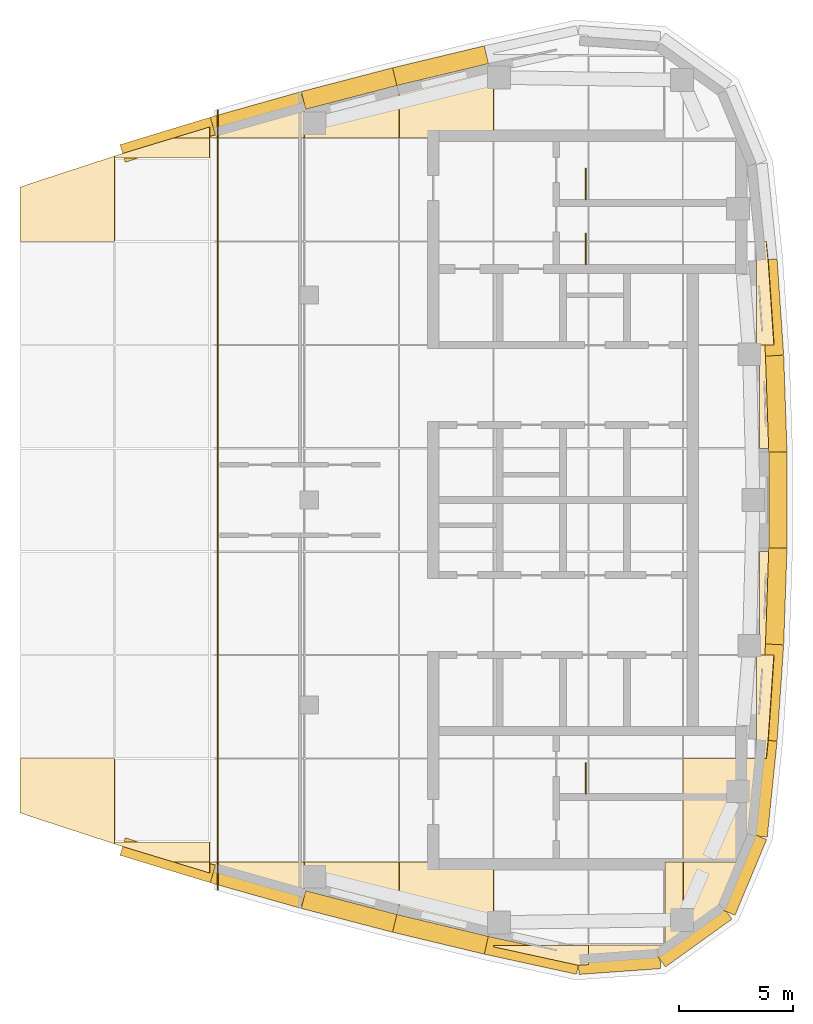
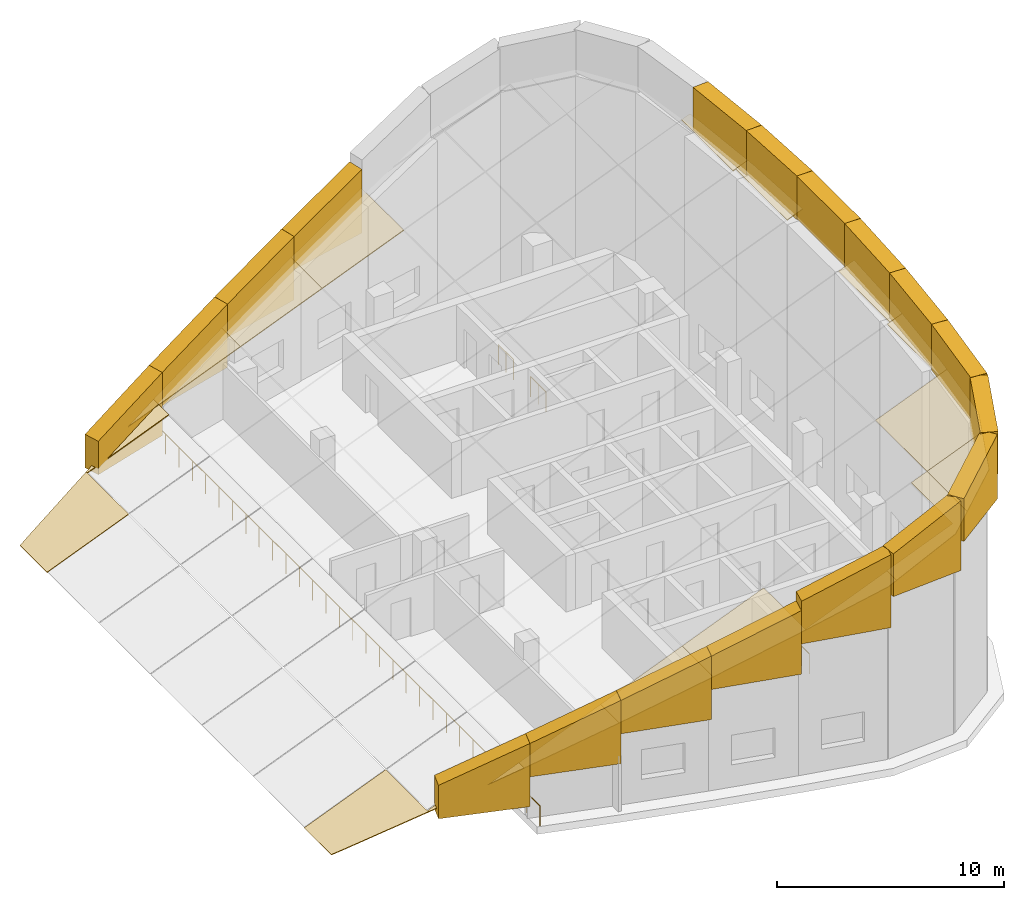
# One storey, part 5 of 6: 38 coverings, 4 railings.
"""IFC4 building model written with IfcOpenShell, lengths in metres."""

from ifc_helpers import new_model, si_unit, direction, frame, origin, origin_2d, place, context, subcontext, project, spatial, polyline, circle, outline, extrude, material, layer, layer_set, type_object, element, save


model = new_model("IFC4")

# Units and contexts
model_context = context("Model", 3, precision=1e-05, world=origin(), true_north=direction((0.0, 1.0)))
body_context = subcontext(model_context, "Body", "Model", "MODEL_VIEW")
ifc_project = project(units=[si_unit("LENGTHUNIT", "METRE"), si_unit("AREAUNIT", "SQUARE_METRE"), si_unit("VOLUMEUNIT", "CUBIC_METRE"), si_unit("PLANEANGLEUNIT", "RADIAN"), si_unit("MASSUNIT", "GRAM", prefix="KILO")], contexts=[model_context])

# Site, building, storey
site_placement = place(None, origin())
site = spatial("IfcSite", under=ifc_project, at=site_placement, CompositionType="ELEMENT")
building_placement = place(site_placement, origin())
building = spatial("IfcBuilding", under=site, at=building_placement, Name="Ostrand Prow Hotel Tower", CompositionType="ELEMENT")
storey_placement = place(building_placement, frame((0.0, 0.0, 337.39990234375)))
storey = spatial("IfcBuildingStorey", under=building, at=storey_placement, Name="C7", CompositionType="ELEMENT", Elevation=337.39990234375)

# Coverings
ifc_material_1 = material(Name="Bronze anodised aluminium cladding", Category="aluminium")
ifc_layer_1 = layer(ifc_material_1, 0.0400390625)
ifc_layer_set_1 = layer_set([ifc_layer_1], Name="Bronze anodised aluminium cladding")
covering_type_1 = type_object("IfcCoveringType", Name="Crown bronze edge capping 40 mm", PredefinedType="CLADDING", material=ifc_layer_set_1)
covering_1_placement = place(storey_placement, frame((32.87451171875, -13.935791015625, -0.318603515625), z_axis=(-0.374576138505, 7.299102e-06, 0.927196158539), x_axis=(0.887505049093, -0.28944984739, 0.358543684478)))
element("IfcCovering", 1, at=covering_1_placement, inside=storey, type_object=covering_type_1, Name="Crown edge capping 7.2", PredefinedType="CLADDING", context=body_context, shape_type="SweptSolid", body=[
    extrude(outline(polyline([(0.0, 0.0), (4.039350731534762, -2.7755575615628914e-16), (2.953489805021606, 3.5908765672763536), (-1.3412613572104248, 2.292167912573649), (-0.6519099750591921, 0.012524484630083883), (0.0, 0.0)])), origin(), (0.0, 0.0, -1.0), 0.0400390625),
])
covering_2_placement = place(storey_placement, frame((32.87451171875, 13.935791015625, -0.318603515625), z_axis=(-0.374576138505, -7.299102e-06, 0.927196158539), x_axis=(-0.882186155434, -0.307782632278, -0.35639505949)))
element("IfcCovering", 2, at=covering_2_placement, inside=storey, type_object=covering_type_1, Name="Crown edge capping 7.8", PredefinedType="CLADDING", context=body_context, shape_type="SweptSolid", body=[
    extrude(outline(polyline([(0.0, 0.0), (0.652030274064729, -1.0408340855860843e-17), (1.3850428663192007, 2.2659814708502113), (-2.8839697504094044, 3.6469459865076823), (-4.038605474918088, 0.07758962760616059), (0.0, 0.0)])), origin(), (0.0, 0.0, -1.0), 0.0400390625),
])
covering_3_placement = place(storey_placement, frame((39.03076171875, -15.894775390625, 2.16845703125), z_axis=(-0.374630263486, 0.0, 0.927174290886), x_axis=(0.892394187542, -0.27132402783, 0.360577156742)))
element("IfcCovering", 3, at=covering_3_placement, inside=storey, type_object=covering_type_1, Name="Crown edge capping 8.1", PredefinedType="CLADDING", context=body_context, shape_type="SweptSolid", body=[
    extrude(outline(polyline([(0.0, 0.0), (1.7807280126989846, 4.163336342344337e-17), (1.6496366428075424, 0.4650302434560152), (0.0, 0.0)])), origin(), (0.0, 0.0, -1.0), 0.0400390625),
])
covering_4_placement = place(storey_placement, frame((40.619873046875, -15.894775390625, 2.810546875), z_axis=(-0.374603922124, -5.416067e-06, 0.927184933819), x_axis=(-2.02888e-06, 0.999999999985, 5.021696e-06)))
element("IfcCovering", 4, at=covering_4_placement, inside=storey, type_object=covering_type_1, Name="Crown edge capping 8.2", PredefinedType="CLADDING", context=body_context, shape_type="SweptSolid", body=[
    extrude(outline(polyline([(0.0, 0.0), (0.8784179687371164, 0.0), (0.8784179686804798, 4.487135366526869), (0.7897949218067797, 4.487135366526869), (0.6757812502366288, 4.11057395969808), (-2.637249845973841e-10, 1.7139294554476523), (0.0, 0.0)])), origin(), (0.0, 0.0, -1.0), 0.0400390625),
])
covering_5_placement = place(storey_placement, frame((36.45947265625, 15.10498046875, 1.129638671875), z_axis=(-0.374603922124, 5.416067e-06, 0.927184933819), x_axis=(-2.02888e-06, -0.999999999985, 5.021696e-06)))
element("IfcCovering", 5, at=covering_5_placement, inside=storey, type_object=covering_type_1, Name="Crown edge capping 8.8", PredefinedType="CLADDING", context=body_context, shape_type="SweptSolid", body=[
    extrude(outline(polyline([(0.0, 0.0), (0.08862304687370018, 0.0), (0.08862304693033674, 4.487135366526869), (-0.7897949218067797, 4.487135366526869), (-0.7897949220705047, 2.773205911079217), (-0.11401367157015084, 0.3765614068287898), (0.0, 0.0)])), origin(), (0.0, 0.0, -1.0), 0.0400390625),
])
covering_6_placement = place(storey_placement, frame((40.619873046875, 16.3779296875, 2.810546875), z_axis=(-0.374630263486, 0.0, 0.927174290886), x_axis=(-0.892394187542, -0.27132402783, -0.360577156742)))
element("IfcCovering", 6, at=covering_6_placement, inside=storey, type_object=covering_type_1, Name="Crown edge capping 8.9", PredefinedType="CLADDING", context=body_context, shape_type="SweptSolid", body=[
    extrude(outline(polyline([(0.0, 0.0), (1.7807280126989846, -4.163336342344337e-17), (0.13109136989144232, 0.4650302434560151), (0.0, 0.0)])), origin(), (0.0, 0.0, -1.0), 0.0400390625),
])
covering_7_placement = place(storey_placement, frame((44.750244140625, -17.547119140625, 4.479248046875), z_axis=(-0.37452705656, 0.000132759887, 0.92721597607), x_axis=(0.902788501251, -0.227973874174, 0.364692794971)))
element("IfcCovering", 7, at=covering_7_placement, inside=storey, type_object=covering_type_1, Name="Crown edge capping 9.1", PredefinedType="CLADDING", context=body_context, shape_type="SweptSolid", body=[
    extrude(outline(polyline([(0.0, 0.0), (0.03319827214521457, -4.336808689942018e-19), (-0.34521832221663784, 1.616202042876606), (-4.714106029832353, 0.5932732696072995), (-4.603959472950149, 0.12284175867145566), (-4.438558112873849, 0.11543193339788219), (0.0, 0.0)])), origin(), (0.0, 0.0, -1.0), 0.0400390625),
])
covering_8_placement = place(storey_placement, frame((40.767578125, 16.4228515625, 2.870361328125), z_axis=(-0.37452705656, -0.000132759887, 0.92721597607), x_axis=(-0.89242158513, -0.27132112197, -0.360511529867)))
element("IfcCovering", 8, at=covering_8_placement, inside=storey, type_object=covering_type_1, Name="Crown edge capping 9.9", PredefinedType="CLADDING", context=body_context, shape_type="SweptSolid", body=[
    extrude(outline(polyline([(0.0, 0.0), (0.16556725348230703, 6.938893903907228e-18), (0.2966572193950114, 0.4650306348095701), (-4.0220726643464, 1.6824604143931172), (-4.472441880233452, 0.08481347853143592), (-4.439276871757979, 0.08332771736304864), (0.0, 0.0)])), origin(), (0.0, 0.0, -1.0), 0.0400390625),
])
covering_9_placement = place(storey_placement, frame((48.754638671875, -18.5908203125, 6.096923828125), z_axis=(-0.374607603813, -6.810187e-06, 0.927183446314), x_axis=(0.9050216838, -0.21733461072, 0.365652046124)))
element("IfcCovering", 9, at=covering_9_placement, inside=storey, type_object=covering_type_1, Name="Crown edge capping 10.1", PredefinedType="CLADDING", context=body_context, shape_type="SweptSolid", body=[
    extrude(outline(polyline([(0.0, 0.0), (0.2055711882382059, -8.673617379884035e-19), (-0.39008270334812134, 2.6752116027656094), (-4.7699627939742255, 1.7000017846605737), (-4.409206441854553, 0.07976628784929835), (0.0, 0.0)])), origin(), (0.0, 0.0, -1.0), 0.0400390625),
])
covering_10_placement = place(storey_placement, frame((48.754638671875, 18.5908203125, 6.096923828125), z_axis=(-0.374607603813, 6.810187e-06, 0.927183446314), x_axis=(-0.901228794515, -0.234954592354, -0.364119485154)))
element("IfcCovering", 10, at=covering_10_placement, inside=storey, type_object=covering_type_1, Name="Crown edge capping 10.9", PredefinedType="CLADDING", context=body_context, shape_type="SweptSolid", body=[
    extrude(outline(polyline([(0.0, 0.0), (4.409927902763145, -2.7755575615628914e-17), (4.799931875764761, 1.6134451065235933), (0.438407817509029, 2.6677181673801473), (-0.205537556945469, 0.0037183489018622435), (0.0, 0.0)])), origin(), (0.0, 0.0, -1.0), 0.0400390625),
])
covering_11_placement = place(storey_placement, frame((52.779052734375, -19.553955078125, 7.722900390625), z_axis=(-0.37457492217, 1.6065069e-05, 0.927196649812), x_axis=(0.908727645776, -0.198592736631, 0.367117134931)))
element("IfcCovering", 11, at=covering_11_placement, inside=storey, type_object=covering_type_1, Name="Crown edge capping 11.1", PredefinedType="CLADDING", context=body_context, shape_type="SweptSolid", body=[
    extrude(outline(polyline([(0.0, 0.0), (0.3540537258461172, -1.734723475976807e-18), (-0.3865963339128423, 3.6552085387858284), (-4.784045904442005, 2.764159163165361), (-4.2397582917911745, 0.0780259439712191), (0.0, 0.0)])), origin(), (0.0, 0.0, -1.0), 0.0400390625),
])
covering_12_placement = place(storey_placement, frame((52.779052734375, 19.553955078125, 7.722900390625), z_axis=(-0.37457492217, -1.6065069e-05, 0.927196649812), x_axis=(-0.905185563667, -0.216592898802, -0.365686493484)))
element("IfcCovering", 12, at=covering_12_placement, inside=storey, type_object=covering_type_1, Name="Crown edge capping 11.9", PredefinedType="CLADDING", context=body_context, shape_type="SweptSolid", body=[
    extrude(outline(polyline([(0.0, 0.0), (4.240476202119831, -8.326672684688674e-17), (4.834097267050529, 2.675663414522456), (0.45378773920993015, 3.647476233664919), (-0.35399378474172966, 0.0065146872329717494), (0.0, 0.0)])), origin(), (0.0, 0.0, -1.0), 0.0400390625),
])
covering_13_placement = place(storey_placement, frame((57.26123046875, -20.40478515625, 9.53369140625), z_axis=(-0.37461169836, -3.4819584e-05, 0.927181791365), x_axis=(-1.3043824e-05, 0.999999999394, 3.2284085e-05)))
element("IfcCovering", 13, at=covering_13_placement, inside=storey, type_object=covering_type_1, Name="Crown edge capping 12.1", PredefinedType="CLADDING", context=body_context, shape_type="SweptSolid", body=[
    extrude(outline(polyline([(0.0, 0.0), (0.8469238276115932, 1.4347447724732265e-21), (0.8469238285578954, 4.4871353664567515), (0.7805175785981511, 4.4871353664567515), (-0.03125000112626835, 0.47371649134526317), (0.0, 0.0)])), origin(), (0.0, 0.0, -1.0), 0.0400390625),
])
covering_14_placement = place(storey_placement, frame((61.421630859375, -15.894775390625, 11.21435546875), z_axis=(-0.374514980721, -2.251059e-06, 0.927220863231), x_axis=(-0.927220863233, 1.49e-10, -0.374514980722)))
element("IfcCovering", 14, at=covering_14_placement, inside=storey, type_object=covering_type_1, Name="Crown edge capping 13.1", PredefinedType="CLADDING", context=body_context, shape_type="SweptSolid", body=[
    extrude(outline(polyline([(0.0, 0.0), (0.8651926601567812, 2.117582368135751e-22), (0.8651926596201851, 3.607910156240859), (0.8651926596197492, 3.6108398437408513), (0.8657368385029043, 3.6137695313388543), (0.8665073896671225, 3.6166992187310667), (0.8675957474339047, 3.6193847658020806), (0.8689104774817498, 3.6220703126673035), (0.870451579810694, 3.624511718701737), (0.8723104887421664, 3.6269531250399707), (0.8744872042762032, 3.629150391057006), (0.8767988577698737, 3.6311035157336606), (0.8794283178661086, 3.632812500089116), (0.8820577779623435, 3.634521484444572), (0.8850050446611791, 3.6357421878538294), (0.8880872493196486, 3.6367187499227063), (0.8910345160185932, 3.6372070314569656), (0.8942081549985642, 3.637939453410434), (0.8972903596571788, 3.6379394529793134), (4.487043910017069, 3.6379394542660073), (4.487043909887367, 4.510009766763798), (1.0908299796172645, 4.285156249945255), (-5.291889089840217e-10, 3.558105468740985), (0.0, 0.0)])), origin(), (0.0, 0.0, -1.0), 0.0400390625),
])
covering_15_placement = place(storey_placement, frame((63.3310546875, -18.080322265625, 11.98583984375), z_axis=(-0.374621208856, -3.368448e-06, 0.927177949405), x_axis=(0.38064815071, 0.911839838304, 0.153802128215)))
element("IfcCovering", 15, at=covering_15_placement, inside=storey, type_object=covering_type_1, Name="Crown edge capping 14.1", PredefinedType="CLADDING", context=body_context, shape_type="SweptSolid", body=[
    extrude(outline(polyline([(0.0, 0.0), (2.3968539026616296, -8.326672684688674e-17), (1.1473941212478926, 2.7751016863583065), (-2.09702819404432, 1.314335323575083), (0.0, 0.0)])), origin(), (0.0, 0.0, -1.0), 0.0400390625),
])
covering_16_placement = place(storey_placement, frame((64.717041015625, -14.7607421875, 12.545654296875), z_axis=(-0.374594471994, 1.170834e-06, 0.927188751846), x_axis=(0.102142577503, 0.993913504641, 0.041265471679)))
element("IfcCovering", 16, at=covering_16_placement, inside=storey, type_object=covering_type_1, Name="Crown edge capping 14.2", PredefinedType="CLADDING", context=body_context, shape_type="SweptSolid", body=[
    extrude(outline(polyline([(0.0, 0.0), (3.4280916260951453, -1.3877787807814457e-17), (2.994950132465372, 3.907883213883667), (-1.518669276673256, 3.4076032039859836), (-1.183397386166553, 0.38271777398546664), (0.0, 0.0)])), origin(), (0.0, 0.0, -1.0), 0.0400390625),
])
covering_17_placement = place(storey_placement, frame((65.4052734375, -6.81201171875, 12.82373046875), z_axis=(-0.374419991007, 8.961093e-06, 0.92725922495), x_axis=(-0.927259224987, -7.63e-10, -0.374419991022)))
element("IfcCovering", 17, at=covering_17_placement, inside=storey, type_object=covering_type_1, Name="Crown edge capping 14.3", PredefinedType="CLADDING", context=body_context, shape_type="SweptSolid", body=[
    extrude(outline(polyline([(0.0, 0.0), (0.8269740659910583, 0.0), (0.8269740694572008, 4.541503906067656), (0.3646374061975853, 4.541503906300817), (0.27614125852455407, 3.7436523445614003), (0.0, 0.0)])), origin(), (0.0, 0.0, -1.0), 0.0400390625),
])
covering_18_placement = place(storey_placement, frame((65.57666015625, -2.270751953125, 12.89306640625), z_axis=(-0.37474608228, -4.480044e-06, 0.927127485191), x_axis=(-0.9271274852, 2.16e-10, -0.374746082284)))
element("IfcCovering", 18, at=covering_18_placement, inside=storey, type_object=covering_type_1, Name="Crown edge capping 14.4", PredefinedType="CLADDING", context=body_context, shape_type="SweptSolid", body=[
    extrude(outline(polyline([(0.0, 0.0), (0.8639693808713208, 2.117582368135751e-22), (0.8639693798890826, 4.541259765579427), (0.18488070750869767, 4.541259765873666), (0.15006207565564716, 4.067626952716381), (0.0, 0.0)])), origin(), (0.0, 0.0, -1.0), 0.0400390625),
])
covering_19_placement = place(storey_placement, frame((65.4052734375, 6.81201171875, 12.82373046875), z_axis=(-0.37474608228, 4.480044e-06, 0.927127485191), x_axis=(-0.9271274852, -6.5e-10, -0.374746082284)))
element("IfcCovering", 19, at=covering_19_placement, inside=storey, type_object=covering_type_1, Name="Crown edge capping 14.6", PredefinedType="CLADDING", context=body_context, shape_type="SweptSolid", body=[
    extrude(outline(polyline([(0.0, 0.0), (0.679088672380385, 0.0), (0.6790886753302866, 4.541259765579426), (-0.1848807055410342, 4.541259765953772), (-0.034818631647832124, 0.4736328131723721), (0.0, 0.0)])), origin(), (0.0, 0.0, -1.0), 0.0400390625),
])
covering_20_placement = place(storey_placement, frame((65.067138671875, 11.353515625, 12.687255859375), z_axis=(-0.374419991007, -8.961093e-06, 0.92725922495), x_axis=(-0.927259224987, 2.59e-10, -0.374419991022)))
element("IfcCovering", 20, at=covering_20_placement, inside=storey, type_object=covering_type_1, Name="Crown edge capping 14.7", PredefinedType="CLADDING", context=body_context, shape_type="SweptSolid", body=[
    extrude(outline(polyline([(0.0, 0.0), (0.46233666325961553, 0.0), (0.46233666208380153, 4.541503906067656), (-0.3646374039072568, 4.541503906484708), (-0.08849614727066622, 0.7978515617840471), (0.0, 0.0)])), origin(), (0.0, 0.0, -1.0), 0.0400390625),
])

# Railing
ifc_material_2 = material(Name="Stainless steel", Category="steel")
railing_type_1 = type_object("IfcRailingType", Name="Crown deck edge guard 1100", PredefinedType="GUARDRAIL", material=ifc_material_2)
railing_1_placement = place(storey_placement, frame((40.989013671875, -17.11083984375, 0.0)))
element("IfcRailing", 21, at=railing_1_placement, inside=storey, type_object=railing_type_1, Name="Crown deck edge guard C7-1", PredefinedType="GUARDRAIL", context=body_context, shape_type="SweptSolid", body=[
    extrude(circle(Radius=0.02392578125, at=origin_2d()), frame((0.0, 0.0, 1.076171875), z_axis=(0.0, 1.0, 0.0), x_axis=(-1.0, 0.0, 0.0)), (0.0, 0.0, 1.0), 34.2216796875),
    extrude(circle(Radius=0.02099609375, at=origin_2d()), origin(), (0.0, 0.0, 1.0), 1.052001953125),
    extrude(circle(Radius=0.02099609375, at=origin_2d()), frame((0.0, 1.18017578125, 0.0)), (0.0, 0.0, 1.0), 1.052001953125),
    extrude(circle(Radius=0.02099609375, at=origin_2d()), frame((0.0, 2.360107421875, 0.0)), (0.0, 0.0, 1.0), 1.052001953125),
    extrude(circle(Radius=0.02099609375, at=origin_2d()), frame((0.0, 3.540283203125, 0.0)), (0.0, 0.0, 1.0), 1.052001953125),
    extrude(circle(Radius=0.02099609375, at=origin_2d()), frame((0.0, 4.72021484375, 0.0)), (0.0, 0.0, 1.0), 1.052001953125),
    extrude(circle(Radius=0.02099609375, at=origin_2d()), frame((0.0, 5.900390625, 0.0)), (0.0, 0.0, 1.0), 1.052001953125),
    extrude(circle(Radius=0.02099609375, at=origin_2d()), frame((0.0, 7.080322265625, 0.0)), (0.0, 0.0, 1.0), 1.052001953125),
    extrude(circle(Radius=0.02099609375, at=origin_2d()), frame((0.0, 8.260498046875, 0.0)), (0.0, 0.0, 1.0), 1.052001953125),
    extrude(circle(Radius=0.02099609375, at=origin_2d()), frame((0.0, 9.4404296875, 0.0)), (0.0, 0.0, 1.0), 1.052001953125),
    extrude(circle(Radius=0.02099609375, at=origin_2d()), frame((0.0, 10.62060546875, 0.0)), (0.0, 0.0, 1.0), 1.052001953125),
    extrude(circle(Radius=0.02099609375, at=origin_2d()), frame((0.0, 11.800537109375, 0.0)), (0.0, 0.0, 1.0), 1.052001953125),
    extrude(circle(Radius=0.02099609375, at=origin_2d()), frame((0.0, 12.980712890625, 0.0)), (0.0, 0.0, 1.0), 1.052001953125),
    extrude(circle(Radius=0.02099609375, at=origin_2d()), frame((0.0, 14.16064453125, 0.0)), (0.0, 0.0, 1.0), 1.052001953125),
    extrude(circle(Radius=0.02099609375, at=origin_2d()), frame((0.0, 15.3408203125, 0.0)), (0.0, 0.0, 1.0), 1.052001953125),
    extrude(circle(Radius=0.02099609375, at=origin_2d()), frame((0.0, 16.520751953125, 0.0)), (0.0, 0.0, 1.0), 1.052001953125),
    extrude(circle(Radius=0.02099609375, at=origin_2d()), frame((0.0, 17.700927734375, 0.0)), (0.0, 0.0, 1.0), 1.052001953125),
    extrude(circle(Radius=0.02099609375, at=origin_2d()), frame((0.0, 18.880859375, 0.0)), (0.0, 0.0, 1.0), 1.052001953125),
    extrude(circle(Radius=0.02099609375, at=origin_2d()), frame((0.0, 20.06103515625, 0.0)), (0.0, 0.0, 1.0), 1.052001953125),
    extrude(circle(Radius=0.02099609375, at=origin_2d()), frame((0.0, 21.240966796875, 0.0)), (0.0, 0.0, 1.0), 1.052001953125),
    extrude(circle(Radius=0.02099609375, at=origin_2d()), frame((0.0, 22.421142578125, 0.0)), (0.0, 0.0, 1.0), 1.052001953125),
    extrude(circle(Radius=0.02099609375, at=origin_2d()), frame((0.0, 23.60107421875, 0.0)), (0.0, 0.0, 1.0), 1.052001953125),
    extrude(circle(Radius=0.02099609375, at=origin_2d()), frame((0.0, 24.78125, 0.0)), (0.0, 0.0, 1.0), 1.052001953125),
    extrude(circle(Radius=0.02099609375, at=origin_2d()), frame((0.0, 25.961181640625, 0.0)), (0.0, 0.0, 1.0), 1.052001953125),
    extrude(circle(Radius=0.02099609375, at=origin_2d()), frame((0.0, 27.141357421875, 0.0)), (0.0, 0.0, 1.0), 1.052001953125),
    extrude(circle(Radius=0.02099609375, at=origin_2d()), frame((0.0, 28.3212890625, 0.0)), (0.0, 0.0, 1.0), 1.052001953125),
    extrude(circle(Radius=0.02099609375, at=origin_2d()), frame((0.0, 29.50146484375, 0.0)), (0.0, 0.0, 1.0), 1.052001953125),
    extrude(circle(Radius=0.02099609375, at=origin_2d()), frame((0.0, 30.681396484375, 0.0)), (0.0, 0.0, 1.0), 1.052001953125),
    extrude(circle(Radius=0.02099609375, at=origin_2d()), frame((0.0, 31.861572265625, 0.0)), (0.0, 0.0, 1.0), 1.052001953125),
    extrude(circle(Radius=0.02099609375, at=origin_2d()), frame((0.0, 33.04150390625, 0.0)), (0.0, 0.0, 1.0), 1.052001953125),
    extrude(circle(Radius=0.02099609375, at=origin_2d()), frame((0.0, 34.2216796875, 0.0)), (0.0, 0.0, 1.0), 1.052001953125),
])

# Coverings
ifc_material_3 = material(Name="Limestone cladding", Category="masonry")
ifc_layer_2 = layer(ifc_material_3, 0.800048828125)
ifc_layer_set_2 = layer_set([ifc_layer_2], Name="Limestone cladding")
covering_type_2 = type_object("IfcCoveringType", Name="Crown stone fascia 800 mm", PredefinedType="CLADDING", material=ifc_layer_set_2)
covering_21_placement = place(storey_placement, frame((36.80859375, -15.218994140625, 0.970703125), z_axis=(0.0, 0.0, 1.0), x_axis=(0.956744590992, -0.29092917971, 0.0)))
element("IfcCovering", 22, at=covering_21_placement, inside=storey, type_object=covering_type_2, Name="Crown stone fascia 11", PredefinedType="CLADDING", context=body_context, shape_type="SweptSolid", body=[
    extrude(outline(polyline([(0.0, 0.0), (4.137939453125, 0.0), (4.13818359375, 3.399658203125), (0.0, 1.800048828125), (0.0, 0.0)])), frame((0.0, 0.39990234375, 0.0), z_axis=(0.0, -1.0, 0.0), x_axis=(1.0, 0.0, 0.0)), (0.0, 0.0, 1.0), 0.800048828125),
])
covering_22_placement = place(storey_placement, frame((40.767578125, -16.4228515625, 2.5703125), z_axis=(0.0, 0.0, 1.0), x_axis=(0.962389579299, -0.271673144895, 0.0)))
element("IfcCovering", 23, at=covering_22_placement, inside=storey, type_object=covering_type_2, Name="Crown stone fascia 12", PredefinedType="CLADDING", context=body_context, shape_type="SweptSolid", body=[
    extrude(outline(polyline([(0.0, 0.0), (4.138427734375, 0.0), (4.13818359375, 3.408935546875), (0.0, 1.800048828125), (0.0, 0.0)])), frame((0.0, 0.39990234375, 0.0), z_axis=(0.0, -1.0, 0.0), x_axis=(1.0, 0.0, 0.0)), (0.0, 0.0, 1.0), 0.800048828125),
])
covering_23_placement = place(storey_placement, frame((44.750244140625, -17.547119140625, 4.17919921875), z_axis=(0.0, 0.0, 1.0), x_axis=(0.967671756967, -0.252212947265, 0.0)))
element("IfcCovering", 24, at=covering_23_placement, inside=storey, type_object=covering_type_2, Name="Crown stone fascia 13", PredefinedType="CLADDING", context=body_context, shape_type="SweptSolid", body=[
    extrude(outline(polyline([(0.0, 0.0), (4.13818359375, 0.0), (4.13818359375, 3.417724609375), (0.0, 1.800048828125), (0.0, 0.0)])), frame((0.0, 0.39990234375, 0.0), z_axis=(0.0, -1.0, 0.0), x_axis=(1.0, 0.0, 0.0)), (0.0, 0.0, 1.0), 0.800048828125),
])
covering_24_placement = place(storey_placement, frame((48.754638671875, -18.5908203125, 5.797119140625), z_axis=(0.0, 0.0, 1.0), x_axis=(0.972536518752, -0.23275033769, 0.0)))
element("IfcCovering", 25, at=covering_24_placement, inside=storey, type_object=covering_type_2, Name="Crown stone fascia 14", PredefinedType="CLADDING", context=body_context, shape_type="SweptSolid", body=[
    extrude(outline(polyline([(0.0, 0.0), (4.137939453125, 0.0), (4.13818359375, 3.42578125), (0.0, 1.7998046875), (0.0, 0.0)])), frame((0.0, 0.39990234375, 0.0), z_axis=(0.0, -1.0, 0.0), x_axis=(1.0, 0.0, 0.0)), (0.0, 0.0, 1.0), 0.800048828125),
])
covering_25_placement = place(storey_placement, frame((52.779052734375, -19.553955078125, 7.4228515625), z_axis=(0.0, 0.0, 1.0), x_axis=(0.977016878442, -0.213161955423, 0.0)))
element("IfcCovering", 26, at=covering_25_placement, inside=storey, type_object=covering_type_2, Name="Crown stone fascia 15", PredefinedType="CLADDING", context=body_context, shape_type="SweptSolid", body=[
    extrude(outline(polyline([(0.0, 0.0), (4.13818359375, 0.0), (4.13818359375, 3.933349609375), (0.0, 2.300048828125), (0.0, 0.0)])), frame((0.0, 0.39990234375, 0.0), z_axis=(0.0, -1.0, 0.0), x_axis=(1.0, 0.0, 0.0)), (0.0, 0.0, 1.0), 0.800048828125),
])
covering_26_placement = place(storey_placement, frame((56.822021484375, -20.43603515625, 9.05615234375), z_axis=(0.0, 0.0, 1.0), x_axis=(0.997462488028, 0.071193995369, 0.0)))
element("IfcCovering", 27, at=covering_26_placement, inside=storey, type_object=covering_type_2, Name="Crown stone fascia 16", PredefinedType="CLADDING", context=body_context, shape_type="SweptSolid", body=[
    extrude(outline(polyline([(0.0, 0.0), (3.59716796875, 0.0), (3.59716796875, 3.749755859375), (0.0, 2.300048828125), (0.0, 0.0)])), frame((0.0, 0.39990234375, 0.0), z_axis=(0.0, -1.0, 0.0), x_axis=(1.0, 0.0, 0.0)), (0.0, 0.0, 1.0), 0.800048828125),
])
covering_27_placement = place(storey_placement, frame((60.41015625, -20.179931640625, 10.505859375), z_axis=(0.0, 0.0, 1.0), x_axis=(0.811987226309, 0.583675204468, 0.0)))
element("IfcCovering", 28, at=covering_27_placement, inside=storey, type_object=covering_type_2, Name="Crown stone fascia 17", PredefinedType="CLADDING", context=body_context, shape_type="SweptSolid", body=[
    extrude(outline(polyline([(0.0, 0.0), (3.59716796875, 0.0), (3.59716796875, 3.47998046875), (0.0, 2.300048828125), (0.0, 0.0)])), frame((0.0, 0.39990234375, 0.0), z_axis=(0.0, -1.0, 0.0), x_axis=(1.0, 0.0, 0.0)), (0.0, 0.0, 1.0), 0.800048828125),
])
covering_28_placement = place(storey_placement, frame((63.3310546875, -18.080322265625, 11.685791015625), z_axis=(0.0, 0.0, 1.0), x_axis=(0.385285125836, 0.922797579001, 0.0)))
element("IfcCovering", 29, at=covering_28_placement, inside=storey, type_object=covering_type_2, Name="Crown stone fascia 18", PredefinedType="CLADDING", context=body_context, shape_type="SweptSolid", body=[
    extrude(outline(polyline([(0.0, 0.0), (3.597412109375, 0.0), (3.59716796875, 2.85986328125), (0.0, 2.300048828125), (0.0, 0.0)])), frame((0.0, 0.39990234375, 0.0), z_axis=(0.0, -1.0, 0.0), x_axis=(1.0, 0.0, 0.0)), (0.0, 0.0, 1.0), 0.800048828125),
])
covering_29_placement = place(storey_placement, frame((64.717041015625, -14.7607421875, 12.24560546875), z_axis=(0.0, 0.0, 1.0), x_axis=(0.102225235886, 0.994761278472, 0.0)))
element("IfcCovering", 30, at=covering_29_placement, inside=storey, type_object=covering_type_2, Name="Crown stone fascia 19", PredefinedType="CLADDING", context=body_context, shape_type="SweptSolid", body=[
    extrude(outline(polyline([(0.0, 0.0), (4.227294921875, 0.0), (4.227294921875, 2.474853515625), (0.0, 2.300048828125), (0.0, 0.0)])), frame((0.0, 0.39990234375, 0.0), z_axis=(0.0, -1.0, 0.0), x_axis=(1.0, 0.0, 0.0)), (0.0, 0.0, 1.0), 0.800048828125),
])
covering_30_placement = place(storey_placement, frame((65.149169921875, -10.5556640625, 12.42041015625), z_axis=(0.0, 0.0, 1.0), x_axis=(0.068209417694, 0.997671025608, 0.0)))
element("IfcCovering", 31, at=covering_30_placement, inside=storey, type_object=covering_type_2, Name="Crown stone fascia 20", PredefinedType="CLADDING", context=body_context, shape_type="SweptSolid", body=[
    extrude(outline(polyline([(0.0, 0.0), (4.22705078125, 0.0), (4.227294921875, 2.41650390625), (0.0, 2.300048828125), (0.0, 0.0)])), frame((0.0, 0.39990234375, 0.0), z_axis=(0.0, -1.0, 0.0), x_axis=(1.0, 0.0, 0.0)), (0.0, 0.0, 1.0), 0.800048828125),
])
covering_31_placement = place(storey_placement, frame((65.4375, -6.33837890625, 12.536865234375), z_axis=(0.0, 0.0, 1.0), x_axis=(0.034189765534, 0.999415359064, 0.0)))
element("IfcCovering", 32, at=covering_31_placement, inside=storey, type_object=covering_type_2, Name="Crown stone fascia 21", PredefinedType="CLADDING", context=body_context, shape_type="SweptSolid", body=[
    extrude(outline(polyline([(0.0, 0.0), (4.227294921875, 0.0), (4.227294921875, 2.3583984375), (0.0, 2.300048828125), (0.0, 0.0)])), frame((0.0, 0.39990234375, 0.0), z_axis=(0.0, -1.0, 0.0), x_axis=(1.0, 0.0, 0.0)), (0.0, 0.0, 1.0), 0.800048828125),
])
covering_32_placement = place(storey_placement, frame((65.58203125, -2.113525390625, 12.59521484375), z_axis=(0.0, 0.0, 1.0), x_axis=(0.0, 1.0, 0.0)))
element("IfcCovering", 33, at=covering_32_placement, inside=storey, type_object=covering_type_2, Name="Crown stone fascia 22", PredefinedType="CLADDING", context=body_context, shape_type="SweptSolid", body=[
    extrude(outline(polyline([(0.0, 0.0), (4.22705078125, 0.0), (4.227294921875, 2.300048828125), (0.0, 2.300048828125), (0.0, 0.0)])), frame((0.0, 0.39990234375, 0.0), z_axis=(0.0, -1.0, 0.0), x_axis=(1.0, 0.0, 0.0)), (0.0, 0.0, 1.0), 0.800048828125),
])
covering_33_placement = place(storey_placement, frame((65.58203125, 2.113525390625, 12.536865234375), z_axis=(0.0, 0.0, 1.0), x_axis=(-0.034189765534, 0.999415359064, 0.0)))
element("IfcCovering", 34, at=covering_33_placement, inside=storey, type_object=covering_type_2, Name="Crown stone fascia 23", PredefinedType="CLADDING", context=body_context, shape_type="SweptSolid", body=[
    extrude(outline(polyline([(0.0, 0.0), (4.227294921875, 0.0), (4.227294921875, 2.300048828125), (0.0, 2.3583984375), (0.0, 0.0)])), frame((0.0, 0.39990234375, 0.0), z_axis=(0.0, -1.0, 0.0), x_axis=(1.0, 0.0, 0.0)), (0.0, 0.0, 1.0), 0.800048828125),
])
covering_34_placement = place(storey_placement, frame((65.4375, 6.33837890625, 12.42041015625), z_axis=(0.0, 0.0, 1.0), x_axis=(-0.068209417694, 0.997671025608, 0.0)))
element("IfcCovering", 35, at=covering_34_placement, inside=storey, type_object=covering_type_2, Name="Crown stone fascia 24", PredefinedType="CLADDING", context=body_context, shape_type="SweptSolid", body=[
    extrude(outline(polyline([(0.0, 0.0), (4.22705078125, 0.0), (4.227294921875, 2.300048828125), (0.0, 2.41650390625), (0.0, 0.0)])), frame((0.0, 0.39990234375, 0.0), z_axis=(0.0, -1.0, 0.0), x_axis=(1.0, 0.0, 0.0)), (0.0, 0.0, 1.0), 0.800048828125),
])
covering_35_placement = place(storey_placement, frame((52.779052734375, 19.553955078125, 5.797119140625), z_axis=(0.0, 0.0, 1.0), x_axis=(-0.972536518752, -0.23275033769, 0.0)))
element("IfcCovering", 36, at=covering_35_placement, inside=storey, type_object=covering_type_2, Name="Crown stone fascia 30", PredefinedType="CLADDING", context=body_context, shape_type="SweptSolid", body=[
    extrude(outline(polyline([(0.0, 0.0), (4.137939453125, 0.0), (4.13818359375, 1.7998046875), (0.0, 3.42578125), (0.0, 0.0)])), frame((0.0, 0.39990234375, 0.0), z_axis=(0.0, -1.0, 0.0), x_axis=(1.0, 0.0, 0.0)), (0.0, 0.0, 1.0), 0.800048828125),
])
covering_36_placement = place(storey_placement, frame((48.754638671875, 18.5908203125, 4.17919921875), z_axis=(0.0, 0.0, 1.0), x_axis=(-0.967671756967, -0.252212947265, 0.0)))
element("IfcCovering", 37, at=covering_36_placement, inside=storey, type_object=covering_type_2, Name="Crown stone fascia 31", PredefinedType="CLADDING", context=body_context, shape_type="SweptSolid", body=[
    extrude(outline(polyline([(0.0, 0.0), (4.13818359375, 0.0), (4.13818359375, 1.800048828125), (0.0, 3.417724609375), (0.0, 0.0)])), frame((0.0, 0.39990234375, 0.0), z_axis=(0.0, -1.0, 0.0), x_axis=(1.0, 0.0, 0.0)), (0.0, 0.0, 1.0), 0.800048828125),
])
covering_37_placement = place(storey_placement, frame((44.750244140625, 17.547119140625, 2.5703125), z_axis=(0.0, 0.0, 1.0), x_axis=(-0.962389579299, -0.271673144895, 0.0)))
element("IfcCovering", 38, at=covering_37_placement, inside=storey, type_object=covering_type_2, Name="Crown stone fascia 32", PredefinedType="CLADDING", context=body_context, shape_type="SweptSolid", body=[
    extrude(outline(polyline([(0.0, 0.0), (4.138427734375, 0.0), (4.13818359375, 1.800048828125), (0.0, 3.408935546875), (0.0, 0.0)])), frame((0.0, 0.39990234375, 0.0), z_axis=(0.0, -1.0, 0.0), x_axis=(1.0, 0.0, 0.0)), (0.0, 0.0, 1.0), 0.800048828125),
])
covering_38_placement = place(storey_placement, frame((40.767578125, 16.4228515625, 0.970703125), z_axis=(0.0, 0.0, 1.0), x_axis=(-0.956744590992, -0.29092917971, 0.0)))
element("IfcCovering", 39, at=covering_38_placement, inside=storey, type_object=covering_type_2, Name="Crown stone fascia 33", PredefinedType="CLADDING", context=body_context, shape_type="SweptSolid", body=[
    extrude(outline(polyline([(0.0, 0.0), (4.137939453125, 0.0), (4.13818359375, 1.800048828125), (0.0, 3.399658203125), (0.0, 0.0)])), frame((0.0, 0.39990234375, 0.0), z_axis=(0.0, -1.0, 0.0), x_axis=(1.0, 0.0, 0.0)), (0.0, 0.0, 1.0), 0.800048828125),
])

# Railings
ifc_material_4 = material(Name="Painted steel", Category="steel")
railing_type_2 = type_object("IfcRailingType", Name="Stair guard 1100", PredefinedType="GUARDRAIL", material=ifc_material_4)
railing_2_placement = place(storey_placement, frame((57.14990234375, 10.35009765625, 0.0)))
element("IfcRailing", 40, at=railing_2_placement, inside=storey, type_object=railing_type_2, Name="C7 ST1C top well guard 1", PredefinedType="GUARDRAIL", context=body_context, shape_type="SweptSolid", body=[
    extrude(circle(Radius=0.02392578125, at=origin_2d()), frame((0.0, 0.0, 1.076171875), z_axis=(0.0, 1.0, 0.0), x_axis=(-1.0, 0.0, 0.0)), (0.0, 0.0, 1.0), 1.349853515625),
    extrude(circle(Radius=0.02099609375, at=origin_2d()), origin(), (0.0, 0.0, 1.0), 1.052001953125),
    extrude(circle(Radius=0.02099609375, at=origin_2d()), frame((0.0, 0.6748046875, 0.0)), (0.0, 0.0, 1.0), 1.052001953125),
    extrude(circle(Radius=0.02099609375, at=origin_2d()), frame((0.0, 1.349853515625, 0.0)), (0.0, 0.0, 1.0), 1.052001953125),
])
railing_3_placement = place(storey_placement, frame((57.14990234375, 13.199951171875, 0.0)))
element("IfcRailing", 41, at=railing_3_placement, inside=storey, type_object=railing_type_2, Name="C7 ST3C top well guard 1", PredefinedType="GUARDRAIL", context=body_context, shape_type="SweptSolid", body=[
    extrude(circle(Radius=0.02392578125, at=origin_2d()), frame((0.0, 0.0, 1.076171875), z_axis=(0.0, 1.0, 0.0), x_axis=(-1.0, 0.0, 0.0)), (0.0, 0.0, 1.0), 1.35009765625),
    extrude(circle(Radius=0.02099609375, at=origin_2d()), origin(), (0.0, 0.0, 1.0), 1.052001953125),
    extrude(circle(Radius=0.02099609375, at=origin_2d()), frame((0.0, 0.675048828125, 0.0)), (0.0, 0.0, 1.0), 1.052001953125),
    extrude(circle(Radius=0.02099609375, at=origin_2d()), frame((0.0, 1.35009765625, 0.0)), (0.0, 0.0, 1.0), 1.052001953125),
])
railing_4_placement = place(storey_placement, frame((57.14990234375, -12.89990234375, 0.0)))
element("IfcRailing", 42, at=railing_4_placement, inside=storey, type_object=railing_type_2, Name="C7 ST2C top well guard 1", PredefinedType="GUARDRAIL", context=body_context, shape_type="SweptSolid", body=[
    extrude(circle(Radius=0.02392578125, at=origin_2d()), frame((0.0, 0.0, 1.076171875), z_axis=(0.0, 1.0, 0.0), x_axis=(-1.0, 0.0, 0.0)), (0.0, 0.0, 1.0), 1.349853515625),
    extrude(circle(Radius=0.02099609375, at=origin_2d()), origin(), (0.0, 0.0, 1.0), 1.052001953125),
    extrude(circle(Radius=0.02099609375, at=origin_2d()), frame((0.0, 0.6748046875, 0.0)), (0.0, 0.0, 1.0), 1.052001953125),
    extrude(circle(Radius=0.02099609375, at=origin_2d()), frame((0.0, 1.349853515625, 0.0)), (0.0, 0.0, 1.0), 1.052001953125),
])

save(model, "model.ifc")
